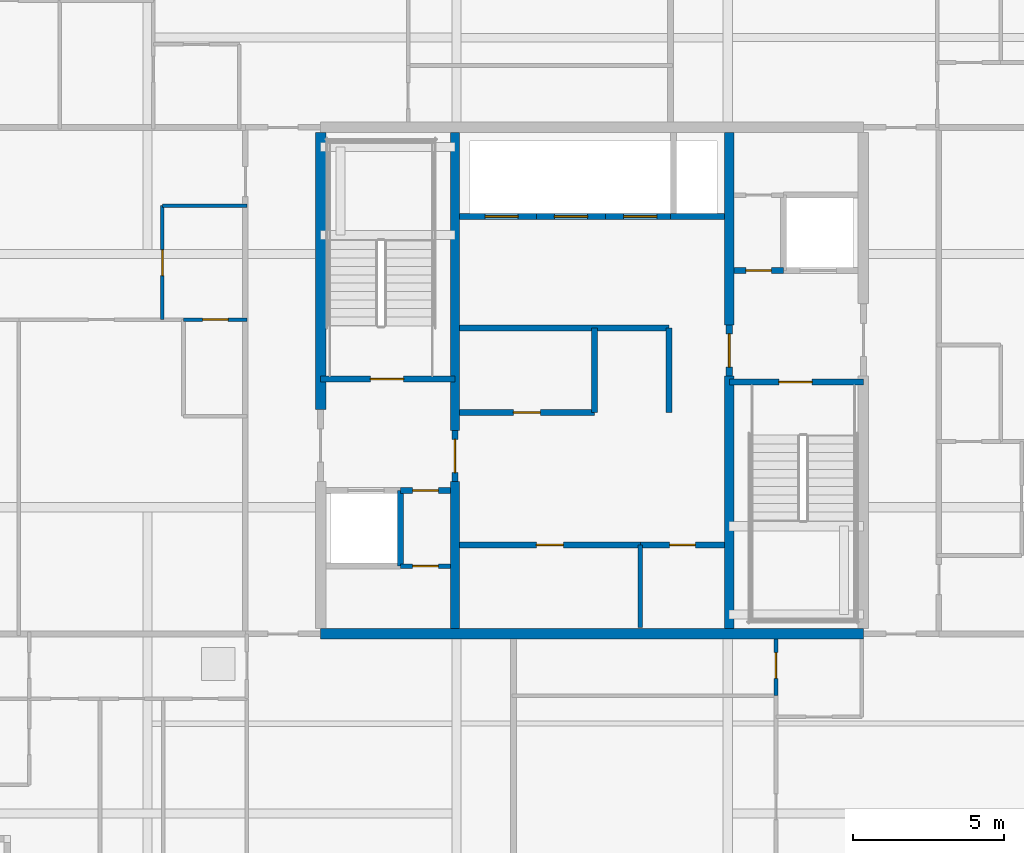
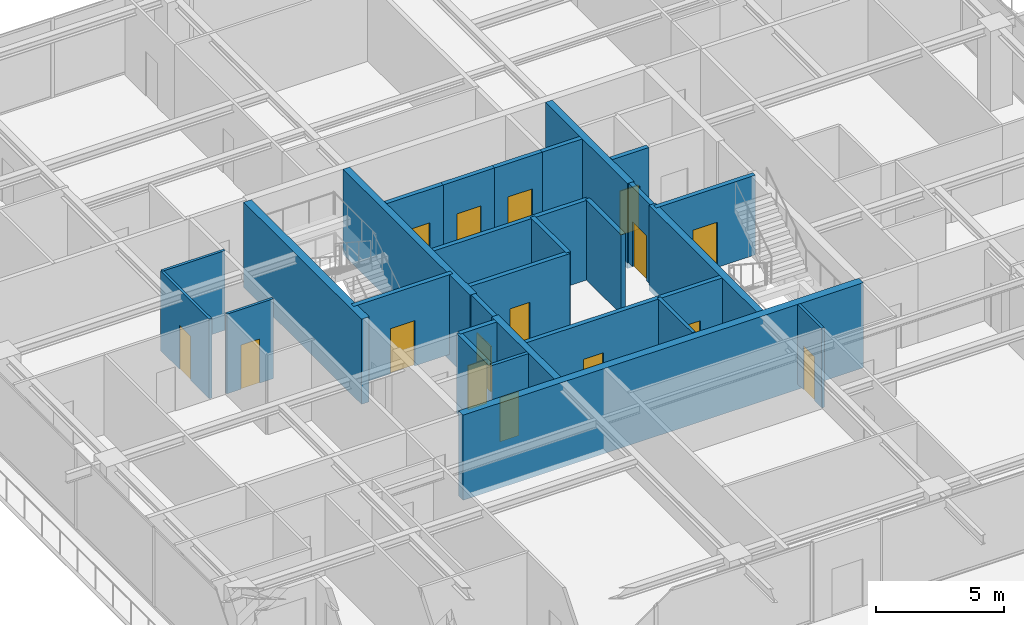
# One storey, part 32 of 42: 29 walls, 16 doors, 16 openings.
"""IFC4 building model written with IfcOpenShell, lengths in metres."""

import ifcopenshell
import ifcopenshell.guid

model = None  # the IFC model being written
_history = None  # IfcOwnerHistory: only IFC2X3 demands one
_inside = {}  # id of a spatial element -> (the spatial element, [elements in it])
_under = {}  # id of a project, library or spatial element -> (it, [spatial elements below it])
_declared = {}  # id of a project -> (the project, [libraries it declares])
_typed = {}  # id of a type object -> (the type object, [elements of that type])
_made_of = {}  # id of a material, layer set ... -> (it, [elements and type objects made of it])


def new_model(schema):
    """Start an empty IFC model of exactly this schema.

    Asked for "IFC4X3", IfcOpenShell would pick the latest addendum, in which some entities
    have other attributes; the version numbers below select the first issue.
    IFC2X3 requires an IfcOwnerHistory on every rooted entity: one is made here for all.
    """
    global model, _history
    if schema == "IFC4X3":
        model = ifcopenshell.file(schema_version=(4, 3, 0, 0))
    else:
        model = ifcopenshell.file(schema=schema)
    _inside.clear()
    _under.clear()
    _declared.clear()
    _typed.clear()
    _made_of.clear()
    _history = None
    if model.schema == "IFC2X3":
        org = make("IfcOrganization", Name="unknown")
        user = make(
            "IfcPersonAndOrganization",
            ThePerson=make("IfcPerson", FamilyName="unknown"),
            TheOrganization=org,
        )
        app = make(
            "IfcApplication",
            ApplicationDeveloper=org,
            Version="unknown",
            ApplicationFullName="unknown",
            ApplicationIdentifier="unknown",
        )
        _history = make(
            "IfcOwnerHistory",
            OwningUser=user,
            OwningApplication=app,
            ChangeAction="ADDED",
            CreationDate=0,
        )
    return model


def make(cls, **values):
    """One entity of the class cls with the attributes given. An attribute that is None is left unset."""
    return model.create_entity(
        cls, **{name: value for name, value in values.items() if value is not None}
    )


def rooted(cls, **values):
    """An entity with a GlobalId (a new one), such as an element, a storey or a relation."""
    return make(cls, GlobalId=ifcopenshell.guid.new(), OwnerHistory=_history, **values)


def si_unit(unit_type, name, prefix=None):
    """IfcSIUnit, for example si_unit("LENGTHUNIT", "METRE", prefix="MILLI")."""
    return make("IfcSIUnit", UnitType=unit_type, Prefix=prefix, Name=name)


def assignment(units):
    """IfcUnitAssignment: the units of a project."""
    return None if units is None else make("IfcUnitAssignment", Units=units)


def point(xyz):
    """IfcCartesianPoint."""
    return None if xyz is None else make("IfcCartesianPoint", Coordinates=xyz)


def direction(xyz):
    """IfcDirection."""
    return None if xyz is None else make("IfcDirection", DirectionRatios=xyz)


def frame(location, z_axis=None, x_axis=None):
    """IfcAxis2Placement3D, a coordinate frame: its origin and axes. An axis left out is left unset."""
    return make(
        "IfcAxis2Placement3D",
        Location=point(location),
        Axis=direction(z_axis),
        RefDirection=direction(x_axis),
    )


def frame_2d(location, x_axis=None):
    """IfcAxis2Placement2D, a coordinate frame in the plane: its origin and x axis."""
    return make(
        "IfcAxis2Placement2D", Location=point(location), RefDirection=direction(x_axis)
    )


def origin():
    """The frame at (0, 0, 0) with its axes left unset."""
    return frame((0.0, 0.0, 0.0))


def place(relative_to, where):
    """IfcLocalPlacement: puts the frame where relative to a parent placement (None: the world)."""
    return make(
        "IfcLocalPlacement", PlacementRelTo=relative_to, RelativePlacement=where
    )


def context(
    kind, dimensions, precision=None, world=None, true_north=None, identifier=None
):
    """IfcGeometricRepresentationContext, for example the 3D "Model" context."""
    return make(
        "IfcGeometricRepresentationContext",
        ContextIdentifier=identifier,
        ContextType=kind,
        CoordinateSpaceDimension=dimensions,
        Precision=precision,
        WorldCoordinateSystem=world,
        TrueNorth=true_north,
    )


def subcontext(parent, identifier, kind, view, scale=None):
    """IfcGeometricRepresentationSubContext, for example "Body" below "Model"."""
    return make(
        "IfcGeometricRepresentationSubContext",
        ContextIdentifier=identifier,
        ContextType=kind,
        ParentContext=parent,
        TargetScale=scale,
        TargetView=view,
    )


def project(units=None, contexts=None):
    """IfcProject with its units and contexts."""
    return rooted(
        "IfcProject",
        Name="project",
        RepresentationContexts=contexts,
        UnitsInContext=assignment(units),
    )


def spatial(cls, under=None, at=None, **own):
    """A site, building, storey or space (cls), placed at a placement, below another one or the project."""
    s = rooted(cls, ObjectPlacement=at, **own)
    if under is not None:
        _under.setdefault(under.id(), (under, []))[1].append(s)
    return s


def profile(cls, at=None, kind="AREA", **sizes):
    """A parametric profile (cls). Its sizes go by their IFC names, for example OverallWidth=200.0."""
    return make(cls, ProfileType=kind, Position=at, **sizes)


def rectangle(**sizes):
    """IfcRectangleProfileDef."""
    return profile("IfcRectangleProfileDef", **sizes)


def extrude(swept, where, along, depth):
    """IfcExtrudedAreaSolid: the profile swept, set in the frame where, extruded along a direction by depth."""
    return make(
        "IfcExtrudedAreaSolid",
        SweptArea=swept,
        Position=where,
        ExtrudedDirection=direction(along),
        Depth=depth,
    )


def shape(context_of_items, identifier, shape_type, items):
    """IfcShapeRepresentation: the items that make up one representation, for example the "Body"."""
    return make(
        "IfcShapeRepresentation",
        ContextOfItems=context_of_items,
        RepresentationIdentifier=identifier,
        RepresentationType=shape_type,
        Items=items,
    )


def source(mapping_origin, context_of_items, identifier, shape_type, items):
    """IfcRepresentationMap: a shape defined once, which mapped items show again and again."""
    return make(
        "IfcRepresentationMap",
        MappingOrigin=mapping_origin,
        MappedRepresentation=shape(context_of_items, identifier, shape_type, items),
    )


def transform(
    local_origin,
    x_axis=None,
    y_axis=None,
    z_axis=None,
    scale=None,
    scale2=None,
    scale3=None,
    uniform=True,
):
    """IfcCartesianTransformationOperator3D, or its non-uniform kind. x_axis, y_axis, z_axis: its Axis1, 2, 3."""
    if uniform:
        return make(
            "IfcCartesianTransformationOperator3D",
            Axis1=direction(x_axis),
            Axis2=direction(y_axis),
            LocalOrigin=point(local_origin),
            Scale=scale,
            Axis3=direction(z_axis),
        )
    return make(
        "IfcCartesianTransformationOperator3DnonUniform",
        Axis1=direction(x_axis),
        Axis2=direction(y_axis),
        LocalOrigin=point(local_origin),
        Scale=scale,
        Axis3=direction(z_axis),
        Scale2=scale2,
        Scale3=scale3,
    )


def mapped(mapping_source, mapping_target):
    """IfcMappedItem: shows the shape of a source again, moved by a transform."""
    return make(
        "IfcMappedItem", MappingSource=mapping_source, MappingTarget=mapping_target
    )


def material(Name=None, Category=None):
    """IfcMaterial."""
    return make("IfcMaterial", Name=Name, Category=Category)


def layer(
    of_material, thickness, ventilated=None, Name=None, Category=None, Priority=None
):
    """IfcMaterialLayer: one layer of a wall or slab, of a material (None: an air gap)."""
    return make(
        "IfcMaterialLayer",
        Material=of_material,
        LayerThickness=thickness,
        IsVentilated=ventilated,
        Name=Name,
        Category=Category,
        Priority=Priority,
    )


def layer_set(layers, Name=None):
    """IfcMaterialLayerSet."""
    return make("IfcMaterialLayerSet", MaterialLayers=layers, LayerSetName=Name)


def made_of(thing, what):
    """Note that an element or type object is made of a material, layer set ...; save() writes the relation."""
    if what is not None:
        _made_of.setdefault(what.id(), (what, []))[1].append(thing)
    return thing


def type_object(cls, material=None, **own):
    """A type object (cls), such as IfcWallType, which elements share."""
    return made_of(rooted(cls, **own), material)


def element(
    cls,
    number,
    at=None,
    inside=None,
    cuts=None,
    type_object=None,
    material=None,
    context=None,
    identifier="Body",
    shape_type=None,
    held_by="IfcProductDefinitionShape",
    body=None,
    shapes=None,
    **own,
):
    """One element of the class cls, such as IfcWall. Its Tag is "e" and its number.

    at: its placement. inside: the storey or other place that contains it. cuts: it is an
    opening in that element (IfcRelVoidsElement). A single representation is given by context,
    identifier, shape_type and body (its items); several are given by shapes. held_by: the class
    of the entity that holds the representations. save() writes the other relations.
    """
    e = rooted(cls, Tag="e%d" % number, ObjectPlacement=at, **own)
    if body is not None:
        shapes = [shape(context, identifier, shape_type, body)]
    if shapes is not None:
        e.Representation = make(held_by, Representations=shapes)
    if inside is not None:
        _inside.setdefault(inside.id(), (inside, []))[1].append(e)
    if cuts is not None:
        rooted(
            "IfcRelVoidsElement", RelatingBuildingElement=cuts, RelatedOpeningElement=e
        )
    if type_object is not None:
        _typed.setdefault(type_object.id(), (type_object, []))[1].append(e)
    return made_of(e, material)


def fill(opening, filler):
    """IfcRelFillsElement: the door or window that sits in an opening."""
    return rooted(
        "IfcRelFillsElement",
        RelatingOpeningElement=opening,
        RelatedBuildingElement=filler,
    )


def aggregate(whole, parts):
    """IfcRelAggregates: a whole, such as a stair, and the parts it consists of."""
    return rooted("IfcRelAggregates", RelatingObject=whole, RelatedObjects=parts)


def save(model, path):
    """Write the relations noted so far, then the file.

    IfcRelAggregates (storeys below a building ...), IfcRelContainedInSpatialStructure (elements
    in a storey), IfcRelDefinesByType, IfcRelAssociatesMaterial and IfcRelDeclares: one each for
    every whole, place, type object, material and project.
    """
    for whole, parts in _under.values():
        aggregate(whole, parts)
    for where, things in _inside.values():
        rooted(
            "IfcRelContainedInSpatialStructure",
            RelatedElements=things,
            RelatingStructure=where,
        )
    for kind, things in _typed.values():
        rooted("IfcRelDefinesByType", RelatedObjects=things, RelatingType=kind)
    for what, things in _made_of.values():
        rooted("IfcRelAssociatesMaterial", RelatedObjects=things, RelatingMaterial=what)
    for by, libraries in _declared.values():
        rooted("IfcRelDeclares", RelatingContext=by, RelatedDefinitions=libraries)
    model.write(path)


model = new_model("IFC4")

# Units and contexts
model_context = context("Model", 3, precision=1e-05, world=origin(), true_north=direction((0.0, 1.0)))
body_context = subcontext(model_context, "Body", "Model", "MODEL_VIEW")
ifc_project = project(units=[si_unit("LENGTHUNIT", "METRE"), si_unit("AREAUNIT", "SQUARE_METRE"), si_unit("VOLUMEUNIT", "CUBIC_METRE"), si_unit("PLANEANGLEUNIT", "RADIAN"), si_unit("MASSUNIT", "GRAM", prefix="KILO")], contexts=[model_context])

# Site, building, storey
site_placement = place(None, origin())
site = spatial("IfcSite", under=ifc_project, at=site_placement, CompositionType="ELEMENT")
building_placement = place(site_placement, origin())
building = spatial("IfcBuilding", under=site, at=building_placement, Name="Serunith Strait Residences", CompositionType="ELEMENT")
storey_placement = place(building_placement, frame((0.0, 0.0, 293.449951171875)))
storey = spatial("IfcBuildingStorey", under=building, at=storey_placement, Name="L73", CompositionType="ELEMENT", Elevation=293.449951171875)

# Wall, opening, door
ifc_material_1 = material(Name="Fire-rated masonry service closet wall", Category="masonry")
ifc_layer_1 = layer(ifc_material_1, 0.14990234375, Name="Fire-rated masonry service closet wall")
ifc_layer_set_1 = layer_set([ifc_layer_1], Name="Fire-rated masonry service closet wall")
wall_type_1 = type_object("IfcWallType", Name="IW-BOH-150", PredefinedType="PARTITIONING", material=ifc_layer_set_1)
wall_1_placement = place(storey_placement, frame((26.052001953125, 19.050048828125, 0.0), z_axis=(0.0, 0.0, 1.0), x_axis=(1.0, 0.0, 0.0)))
wall_1 = element("IfcWall", 1, at=wall_1_placement, inside=storey, type_object=wall_type_1, Name="L73 Partition Wall 011", PredefinedType="PARTITIONING", context=body_context, shape_type="SweptSolid", body=[
    extrude(rectangle(XDim=1.64794921875, YDim=0.14990234375, at=frame_2d((0.823974609375, 0.0))), origin(), (0.0, 0.0, 1.0), 3.7900390625),
])
opening_1_placement = place(wall_1_placement, frame((0.39892578125, 0.0, 0.0)))
opening_1 = element("IfcOpeningElement", 2, at=opening_1_placement, cuts=wall_1, Name="Opening FD-850", PredefinedType="OPENING", context=body_context, shape_type="SweptSolid", body=[
    extrude(rectangle(XDim=0.85009765625, YDim=2.10009765625, at=frame_2d((0.425048828125, 1.050048828125))), frame((0.0, 0.0849609375, 0.0), z_axis=(0.0, -1.0, 0.0), x_axis=(1.0, 0.0, 0.0)), (0.0, 0.0, 1.0), 0.169921875),
])
ifc_material_2 = material(Name="Powder-coated steel service closet door", Category="steel")
door_type_1 = type_object("IfcDoorType", Name="FD-BOH-850", OperationType="NOTDEFINED", PredefinedType="DOOR", material=ifc_material_2)
shared_shape_1 = source(origin(), body_context, "Body", "SweptSolid", [
    extrude(rectangle(XDim=0.85009765625, YDim=2.10009765625, at=frame_2d((0.425048828125, 1.050048828125))), frame((0.0, 0.02490234375, 0.0), z_axis=(0.0, -1.0, 0.0), x_axis=(1.0, 0.0, 0.0)), (0.0, 0.0, 1.0), 0.050048828125),
])
door_1_placement = place(opening_1_placement, origin())
door_1 = element("IfcDoor", 3, at=door_1_placement, inside=storey, type_object=door_type_1, Name="L73 Water Meter Door", OperationType="SINGLE_SWING_RIGHT", OverallHeight=2.10009765625, OverallWidth=0.85009765625, PredefinedType="DOOR", context=body_context, shape_type="MappedRepresentation", body=[
    mapped(shared_shape_1, transform((0.0, 0.0, 0.0), scale=1.0)),
])
fill(opening_1, door_1)

# Wall
wall_2_placement = place(storey_placement, frame((34.0, 17.02001953125, 0.0), z_axis=(0.0, 0.0, 1.0), x_axis=(0.0, 1.0, 0.0)))
element("IfcWall", 4, at=wall_2_placement, inside=storey, type_object=wall_type_1, Name="L73 Partition Wall 015", PredefinedType="PARTITIONING", context=body_context, shape_type="SweptSolid", body=[
    extrude(rectangle(XDim=2.72998046875, YDim=0.14990234375, at=frame_2d((1.364990234375, 0.0))), origin(), (0.0, 0.0, 1.0), 3.7900390625),
])

# Wall, opening, door
ifc_material_3 = material(Name="Lightweight steel-stud gypsum partition", Category="steel")
ifc_layer_2 = layer(ifc_material_3, 0.1201171875, Name="Lightweight steel-stud gypsum partition")
ifc_layer_set_2 = layer_set([ifc_layer_2], Name="Lightweight steel-stud gypsum partition")
wall_type_2 = type_object("IfcWallType", Name="IW-PART-120", PredefinedType="PARTITIONING", material=ifc_layer_set_2)
wall_3_placement = place(storey_placement, frame((38.5, 14.751953125, 0.0), z_axis=(0.0, 0.0, 1.0), x_axis=(0.0, 1.0, 0.0)))
wall_3 = element("IfcWall", 5, at=wall_3_placement, inside=storey, type_object=wall_type_2, Name="L73 Partition Wall 051", PredefinedType="PARTITIONING", context=body_context, shape_type="SweptSolid", body=[
    extrude(rectangle(XDim=1.873046875, YDim=0.1201171875, at=frame_2d((0.9365234375, 0.0))), origin(), (0.0, 0.0, 1.0), 3.7900390625),
])
opening_2_placement = place(wall_3_placement, frame((0.574951171875, 0.0, 0.0)))
opening_2 = element("IfcOpeningElement", 6, at=opening_2_placement, cuts=wall_3, Name="Opening D-BTH850", PredefinedType="OPENING", context=body_context, shape_type="SweptSolid", body=[
    extrude(rectangle(XDim=0.85009765625, YDim=2.10009765625, at=frame_2d((0.425048828125, 1.050048828125))), frame((0.0, 0.070068359375, 0.0), z_axis=(0.0, -1.0, 0.0), x_axis=(1.0, 0.0, 0.0)), (0.0, 0.0, 1.0), 0.14013671875),
])
ifc_material_4 = material(Name="Moisture-resistant timber bathroom door", Category="wood")
door_type_2 = type_object("IfcDoorType", Name="ID-BATH-850", OperationType="NOTDEFINED", PredefinedType="DOOR", material=ifc_material_4)
door_2_placement = place(opening_2_placement, origin())
door_2 = element("IfcDoor", 7, at=door_2_placement, inside=storey, type_object=door_type_2, Name="L73 Bathroom 7302 Door", OperationType="SINGLE_SWING_LEFT", OverallHeight=2.10009765625, OverallWidth=0.85009765625, PredefinedType="DOOR", context=body_context, shape_type="MappedRepresentation", body=[
    mapped(shared_shape_1, transform((0.0, 0.0, 0.0), scale=1.0)),
])
fill(opening_2, door_2)

wall_4_placement = place(storey_placement, frame((18.14990234375, 27.219970703125, 0.0), z_axis=(0.0, 0.0, 1.0), x_axis=(0.0, 1.0, 0.0)))
wall_4 = element("IfcWall", 8, at=wall_4_placement, inside=storey, type_object=wall_type_2, Name="L73 Partition Wall 082", PredefinedType="PARTITIONING", context=body_context, shape_type="SweptSolid", body=[
    extrude(rectangle(XDim=3.780029296875, YDim=0.1201171875, at=frame_2d((1.89013671875, 0.0))), origin(), (0.0, 0.0, 1.0), 3.7900390625),
])
opening_3_placement = place(wall_4_placement, frame((1.465087890625, 0.0, 0.0)))
opening_3 = element("IfcOpeningElement", 9, at=opening_3_placement, cuts=wall_4, Name="Opening D-RM850", PredefinedType="OPENING", context=body_context, shape_type="SweptSolid", body=[
    extrude(rectangle(XDim=0.85009765625, YDim=2.10009765625, at=frame_2d((0.425048828125, 1.050048828125))), frame((0.0, 0.070068359375, 0.0), z_axis=(0.0, -1.0, 0.0), x_axis=(1.0, 0.0, 0.0)), (0.0, 0.0, 1.0), 0.14013671875),
])
ifc_material_5 = material(Name="Engineered timber flush study and kitchen door", Category="wood")
door_type_3 = type_object("IfcDoorType", Name="ID-ROOM-850", OperationType="NOTDEFINED", PredefinedType="DOOR", material=ifc_material_5)
door_3_placement = place(opening_3_placement, origin())
door_3 = element("IfcDoor", 10, at=door_3_placement, inside=storey, type_object=door_type_3, Name="L73 Kitchen 7305 Door", OperationType="SINGLE_SWING_LEFT", OverallHeight=2.10009765625, OverallWidth=0.85009765625, PredefinedType="DOOR", context=body_context, shape_type="MappedRepresentation", body=[
    mapped(shared_shape_1, transform((0.0, 0.0, 0.0), scale=1.0)),
])
fill(opening_3, door_3)

# Wall
wall_5_placement = place(storey_placement, frame((18.14990234375, 31.0, 0.0), z_axis=(0.0, 0.0, 1.0), x_axis=(1.0, 0.0, 0.0)))
element("IfcWall", 11, at=wall_5_placement, inside=storey, type_object=wall_type_2, Name="L73 Partition Wall 083", PredefinedType="PARTITIONING", context=body_context, shape_type="SweptSolid", body=[
    extrude(rectangle(XDim=2.81005859375, YDim=0.1201171875, at=frame_2d((1.405029296875, 0.0))), origin(), (0.0, 0.0, 1.0), 3.7900390625),
])

# Wall, opening, door
wall_6_placement = place(storey_placement, frame((18.85205078125, 27.219970703125, 0.0), z_axis=(0.0, 0.0, 1.0), x_axis=(1.0, 0.0, 0.0)))
wall_6 = element("IfcWall", 12, at=wall_6_placement, inside=storey, type_object=wall_type_2, Name="L73 Partition Wall 089", PredefinedType="PARTITIONING", context=body_context, shape_type="SweptSolid", body=[
    extrude(rectangle(XDim=2.10791015625, YDim=0.1201171875, at=frame_2d((1.053955078125, 0.0))), origin(), (0.0, 0.0, 1.0), 3.7900390625),
])
opening_4_placement = place(wall_6_placement, frame((0.62890625, 0.0, 0.0)))
opening_4 = element("IfcOpeningElement", 13, at=opening_4_placement, cuts=wall_6, Name="Opening D-BTH850", PredefinedType="OPENING", context=body_context, shape_type="SweptSolid", body=[
    extrude(rectangle(XDim=0.85009765625, YDim=2.10009765625, at=frame_2d((0.425048828125, 1.050048828125))), frame((0.0, 0.070068359375, 0.0), z_axis=(0.0, -1.0, 0.0), x_axis=(1.0, 0.0, 0.0)), (0.0, 0.0, 1.0), 0.14013671875),
])
door_4_placement = place(opening_4_placement, origin())
door_4 = element("IfcDoor", 14, at=door_4_placement, inside=storey, type_object=door_type_2, Name="L73 Bathroom 7305 Door", OperationType="SINGLE_SWING_RIGHT", OverallHeight=2.10009765625, OverallWidth=0.85009765625, PredefinedType="DOOR", context=body_context, shape_type="MappedRepresentation", body=[
    mapped(shared_shape_1, transform((0.0, 0.0, 0.0), scale=1.0)),
])
fill(opening_4, door_4)

ifc_material_6 = material(Name="Autoclaved aerated concrete blockwork", Category="masonry")
ifc_layer_3 = layer(ifc_material_6, 0.199951171875, Name="Autoclaved aerated concrete blockwork")
ifc_layer_set_3 = layer_set([ifc_layer_3], Name="Autoclaved aerated concrete blockwork")
wall_type_3 = type_object("IfcWallType", Name="IW-SHAFT-200", PredefinedType="STANDARD", material=ifc_layer_set_3)
wall_7_placement = place(storey_placement, frame((23.39990234375, 25.25, 0.0), z_axis=(0.0, 0.0, 1.0), x_axis=(1.0, 0.0, 0.0)))
wall_7 = element("IfcWall", 15, at=wall_7_placement, inside=storey, type_object=wall_type_3, Name="L73 ST-1 South Shaft Wall", PredefinedType="STANDARD", context=body_context, shape_type="SweptSolid", body=[
    extrude(rectangle(XDim=4.4501953125, YDim=0.199951171875, at=frame_2d((2.22509765625, 0.0))), origin(), (0.0, 0.0, 1.0), 3.7900390625),
])
opening_5_placement = place(wall_7_placement, frame((1.64990234375, 0.0, 0.0)))
opening_5 = element("IfcOpeningElement", 16, at=opening_5_placement, cuts=wall_7, Name="Opening FD-1100", PredefinedType="OPENING", context=body_context, shape_type="SweptSolid", body=[
    extrude(rectangle(XDim=1.10009765625, YDim=2.14990234375, at=frame_2d((0.550048828125, 1.074951171875))), frame((0.0, 0.10986328125, 0.0), z_axis=(0.0, -1.0, 0.0), x_axis=(1.0, 0.0, 0.0)), (0.0, 0.0, 1.0), 0.219970703125),
])
ifc_material_7 = material(Name="Galvanised steel fire door leaf", Category="steel")
door_type_4 = type_object("IfcDoorType", Name="FD-STAIR-1100", OperationType="NOTDEFINED", PredefinedType="DOOR", material=ifc_material_7)
shared_shape_2 = source(origin(), body_context, "Body", "SweptSolid", [
    extrude(rectangle(XDim=1.10009765625, YDim=2.14990234375, at=frame_2d((0.550048828125, 1.074951171875))), frame((0.0, 0.02490234375, 0.0), z_axis=(0.0, -1.0, 0.0), x_axis=(1.0, 0.0, 0.0)), (0.0, 0.0, 1.0), 0.050048828125),
])
door_5_placement = place(opening_5_placement, origin())
door_5 = element("IfcDoor", 17, at=door_5_placement, inside=storey, type_object=door_type_4, Name="L73 ST-1 Escape Stair Door", OperationType="SINGLE_SWING_LEFT", OverallHeight=2.14990234375, OverallWidth=1.10009765625, PredefinedType="DOOR", context=body_context, shape_type="MappedRepresentation", body=[
    mapped(shared_shape_2, transform((0.0, 0.0, 0.0), scale=1.0)),
])
fill(opening_5, door_5)

wall_8_placement = place(storey_placement, frame((36.949951171875, 25.14990234375, 0.0), z_axis=(0.0, 0.0, 1.0), x_axis=(1.0, 0.0, 0.0)))
wall_8 = element("IfcWall", 18, at=wall_8_placement, inside=storey, type_object=wall_type_3, Name="L73 ST-2 North Shaft Wall", PredefinedType="STANDARD", context=body_context, shape_type="SweptSolid", body=[
    extrude(rectangle(XDim=4.449951171875, YDim=0.199951171875, at=frame_2d((2.22509765625, 0.0))), origin(), (0.0, 0.0, 1.0), 3.7900390625),
])
opening_6_placement = place(wall_8_placement, frame((1.64990234375, 0.0, 0.0)))
opening_6 = element("IfcOpeningElement", 19, at=opening_6_placement, cuts=wall_8, Name="Opening FD-1100", PredefinedType="OPENING", context=body_context, shape_type="SweptSolid", body=[
    extrude(rectangle(XDim=1.10009765625, YDim=2.14990234375, at=frame_2d((0.550048828125, 1.074951171875))), frame((0.0, 0.10986328125, 0.0), z_axis=(0.0, -1.0, 0.0), x_axis=(1.0, 0.0, 0.0)), (0.0, 0.0, 1.0), 0.219970703125),
])
door_6_placement = place(opening_6_placement, origin())
door_6 = element("IfcDoor", 20, at=door_6_placement, inside=storey, type_object=door_type_4, Name="L73 ST-2 Escape Stair Door", OperationType="SINGLE_SWING_RIGHT", OverallHeight=2.14990234375, OverallWidth=1.10009765625, PredefinedType="DOOR", context=body_context, shape_type="MappedRepresentation", body=[
    mapped(shared_shape_2, transform((0.0, 0.0, 0.0), scale=1.0)),
])
fill(opening_6, door_6)

wall_9_placement = place(storey_placement, frame((28.0, 30.64990234375, 0.0), z_axis=(0.0, 0.0, 1.0), x_axis=(1.0, 0.0, 0.0)))
wall_9 = element("IfcWall", 21, at=wall_9_placement, inside=storey, type_object=wall_type_3, Name="L73 PL-7 South Shaft Wall", PredefinedType="STANDARD", context=body_context, shape_type="SweptSolid", body=[
    extrude(rectangle(XDim=2.550048828125, YDim=0.199951171875, at=frame_2d((1.27490234375, 0.0))), origin(), (0.0, 0.0, 1.0), 3.7900390625),
])
opening_7_placement = place(wall_9_placement, frame((0.85009765625, 0.0, 0.0)))
opening_7 = element("IfcOpeningElement", 22, at=opening_7_placement, cuts=wall_9, Name="Opening LD-1100", PredefinedType="OPENING", context=body_context, shape_type="SweptSolid", body=[
    extrude(rectangle(XDim=1.10009765625, YDim=2.199951171875, at=frame_2d((0.550048828125, 1.10009765625))), frame((0.0, 0.10986328125, 0.0), z_axis=(0.0, -1.0, 0.0), x_axis=(1.0, 0.0, 0.0)), (0.0, 0.0, 1.0), 0.219970703125),
])
ifc_material_8 = material(Name="Pale-champagne stainless landing door")
door_type_5 = type_object("IfcDoorType", Name="LD-LIFT-1100", OperationType="DOUBLE_DOOR_SLIDING", PredefinedType="DOOR", material=ifc_material_8)
shared_shape_3 = source(origin(), body_context, "Body", "SweptSolid", [
    extrude(rectangle(XDim=1.10009765625, YDim=2.199951171875, at=frame_2d((0.550048828125, 1.10009765625))), frame((0.0, 0.02490234375, 0.0), z_axis=(0.0, -1.0, 0.0), x_axis=(1.0, 0.0, 0.0)), (0.0, 0.0, 1.0), 0.050048828125),
])
door_7_placement = place(opening_7_placement, origin())
door_7 = element("IfcDoor", 23, at=door_7_placement, inside=storey, type_object=door_type_5, Name="L73 PL-7 Landing Door", OperationType="DOUBLE_DOOR_SLIDING", OverallHeight=2.199951171875, OverallWidth=1.10009765625, PredefinedType="DOOR", context=body_context, shape_type="MappedRepresentation", body=[
    mapped(shared_shape_3, transform((0.0, 0.0, 0.0), scale=1.0)),
])
fill(opening_7, door_7)

wall_10_placement = place(storey_placement, frame((30.550048828125, 30.64990234375, 0.0), z_axis=(0.0, 0.0, 1.0), x_axis=(1.0, 0.0, 0.0)))
wall_10 = element("IfcWall", 24, at=wall_10_placement, inside=storey, type_object=wall_type_3, Name="L73 PL-8 South Shaft Wall", PredefinedType="STANDARD", context=body_context, shape_type="SweptSolid", body=[
    extrude(rectangle(XDim=2.300048828125, YDim=0.199951171875, at=frame_2d((1.14990234375, 0.0))), origin(), (0.0, 0.0, 1.0), 3.7900390625),
])
opening_8_placement = place(wall_10_placement, frame((0.60009765625, 0.0, 0.0)))
opening_8 = element("IfcOpeningElement", 25, at=opening_8_placement, cuts=wall_10, Name="Opening LD-1100", PredefinedType="OPENING", context=body_context, shape_type="SweptSolid", body=[
    extrude(rectangle(XDim=1.10009765625, YDim=2.199951171875, at=frame_2d((0.550048828125, 1.10009765625))), frame((0.0, 0.10986328125, 0.0), z_axis=(0.0, -1.0, 0.0), x_axis=(1.0, 0.0, 0.0)), (0.0, 0.0, 1.0), 0.219970703125),
])
door_8_placement = place(opening_8_placement, origin())
door_8 = element("IfcDoor", 26, at=door_8_placement, inside=storey, type_object=door_type_5, Name="L73 PL-8 Landing Door", OperationType="DOUBLE_DOOR_SLIDING", OverallHeight=2.199951171875, OverallWidth=1.10009765625, PredefinedType="DOOR", context=body_context, shape_type="MappedRepresentation", body=[
    mapped(shared_shape_3, transform((0.0, 0.0, 0.0), scale=1.0)),
])
fill(opening_8, door_8)

wall_11_placement = place(storey_placement, frame((32.85009765625, 30.64990234375, 0.0), z_axis=(0.0, 0.0, 1.0), x_axis=(1.0, 0.0, 0.0)))
wall_11 = element("IfcWall", 27, at=wall_11_placement, inside=storey, type_object=wall_type_3, Name="L73 PL-9 South Shaft Wall", PredefinedType="STANDARD", context=body_context, shape_type="SweptSolid", body=[
    extrude(rectangle(XDim=2.14990234375, YDim=0.199951171875, at=frame_2d((1.074951171875, 0.0))), origin(), (0.0, 0.0, 1.0), 3.7900390625),
])
opening_9_placement = place(wall_11_placement, frame((0.60009765625, 0.0, 0.0)))
opening_9 = element("IfcOpeningElement", 28, at=opening_9_placement, cuts=wall_11, Name="Opening LD-1100", PredefinedType="OPENING", context=body_context, shape_type="SweptSolid", body=[
    extrude(rectangle(XDim=1.10009765625, YDim=2.199951171875, at=frame_2d((0.550048828125, 1.10009765625))), frame((0.0, 0.10986328125, 0.0), z_axis=(0.0, -1.0, 0.0), x_axis=(1.0, 0.0, 0.0)), (0.0, 0.0, 1.0), 0.219970703125),
])
door_9_placement = place(opening_9_placement, origin())
door_9 = element("IfcDoor", 29, at=door_9_placement, inside=storey, type_object=door_type_5, Name="L73 PL-9 Landing Door", OperationType="DOUBLE_DOOR_SLIDING", OverallHeight=2.199951171875, OverallWidth=1.10009765625, PredefinedType="DOOR", context=body_context, shape_type="MappedRepresentation", body=[
    mapped(shared_shape_3, transform((0.0, 0.0, 0.0), scale=1.0)),
])
fill(opening_9, door_9)

# Walls
wall_12_placement = place(storey_placement, frame((35.0, 30.64990234375, 0.0), z_axis=(0.0, 0.0, 1.0), x_axis=(1.0, 0.0, 0.0)))
element("IfcWall", 30, at=wall_12_placement, inside=storey, type_object=wall_type_3, Name="L73 SL-1 South Shaft Wall", PredefinedType="STANDARD", context=body_context, shape_type="SweptSolid", body=[
    extrude(rectangle(XDim=1.800048828125, YDim=0.199951171875, at=frame_2d((0.89990234375, 0.0))), origin(), (0.0, 0.0, 1.0), 3.7900390625),
])
wall_13_placement = place(storey_placement, frame((26.050048828125, 19.050048828125, 0.0), z_axis=(0.0, 0.0, 1.0), x_axis=(0.0, 1.0, 0.0)))
element("IfcWall", 31, at=wall_13_placement, inside=storey, type_object=wall_type_3, Name="L73 Partition Wall 001", PredefinedType="STANDARD", context=body_context, shape_type="SweptSolid", body=[
    extrude(rectangle(XDim=2.5, YDim=0.199951171875, at=frame_2d((1.25, 0.0))), origin(), (0.0, 0.0, 1.0), 3.7900390625),
])

# Wall, opening, door
wall_14_placement = place(storey_placement, frame((26.052001953125, 21.550048828125, 0.0), z_axis=(0.0, 0.0, 1.0), x_axis=(1.0, 0.0, 0.0)))
wall_14 = element("IfcWall", 32, at=wall_14_placement, inside=storey, type_object=wall_type_3, Name="L73 Partition Wall 003", PredefinedType="STANDARD", context=body_context, shape_type="SweptSolid", body=[
    extrude(rectangle(XDim=1.64794921875, YDim=0.199951171875, at=frame_2d((0.823974609375, 0.0))), origin(), (0.0, 0.0, 1.0), 3.7900390625),
])
opening_10_placement = place(wall_14_placement, frame((0.39892578125, 0.0, 0.0)))
opening_10 = element("IfcOpeningElement", 33, at=opening_10_placement, cuts=wall_14, Name="Opening FD-850", PredefinedType="OPENING", context=body_context, shape_type="SweptSolid", body=[
    extrude(rectangle(XDim=0.85009765625, YDim=2.10009765625, at=frame_2d((0.425048828125, 1.050048828125))), frame((0.0, 0.10986328125, 0.0), z_axis=(0.0, -1.0, 0.0), x_axis=(1.0, 0.0, 0.0)), (0.0, 0.0, 1.0), 0.219970703125),
])
door_10_placement = place(opening_10_placement, origin())
door_10 = element("IfcDoor", 34, at=door_10_placement, inside=storey, type_object=door_type_1, Name="L73 South-West Core Service Door", OperationType="SINGLE_SWING_RIGHT", OverallHeight=2.10009765625, OverallWidth=0.85009765625, PredefinedType="DOOR", context=body_context, shape_type="MappedRepresentation", body=[
    mapped(shared_shape_1, transform((0.0, 0.0, 0.0), scale=1.0)),
])
fill(opening_10, door_10)

wall_15_placement = place(storey_placement, frame((37.10009765625, 28.85009765625, 0.0), z_axis=(0.0, 0.0, 1.0), x_axis=(1.0, 0.0, 0.0)))
wall_15 = element("IfcWall", 35, at=wall_15_placement, inside=storey, type_object=wall_type_3, Name="L73 Partition Wall 006", PredefinedType="STANDARD", context=body_context, shape_type="SweptSolid", body=[
    extrude(rectangle(XDim=1.64794921875, YDim=0.199951171875, at=frame_2d((0.823974609375, 0.0))), origin(), (0.0, 0.0, 1.0), 3.7900390625),
])
opening_11_placement = place(wall_15_placement, frame((0.39892578125, 0.0, 0.0)))
opening_11 = element("IfcOpeningElement", 36, at=opening_11_placement, cuts=wall_15, Name="Opening FD-850", PredefinedType="OPENING", context=body_context, shape_type="SweptSolid", body=[
    extrude(rectangle(XDim=0.85009765625, YDim=2.10009765625, at=frame_2d((0.425048828125, 1.050048828125))), frame((0.0, 0.10986328125, 0.0), z_axis=(0.0, -1.0, 0.0), x_axis=(1.0, 0.0, 0.0)), (0.0, 0.0, 1.0), 0.219970703125),
])
door_11_placement = place(opening_11_placement, origin())
door_11 = element("IfcDoor", 37, at=door_11_placement, inside=storey, type_object=door_type_1, Name="L73 North-East Core Service Door", OperationType="SINGLE_SWING_LEFT", OverallHeight=2.10009765625, OverallWidth=0.85009765625, PredefinedType="DOOR", context=body_context, shape_type="MappedRepresentation", body=[
    mapped(shared_shape_1, transform((0.0, 0.0, 0.0), scale=1.0)),
])
fill(opening_11, door_11)

wall_16_placement = place(storey_placement, frame((27.85009765625, 21.85205078125, 0.0), z_axis=(0.0, 0.0, 1.0), x_axis=(0.0, 1.0, 0.0)))
wall_16 = element("IfcWall", 38, at=wall_16_placement, inside=storey, type_object=wall_type_3, Name="L73 Partition Wall 009", PredefinedType="STANDARD", context=body_context, shape_type="SweptSolid", body=[
    extrude(rectangle(XDim=1.696044921875, YDim=0.199951171875, at=frame_2d((0.84814453125, 0.0))), origin(), (0.0, 0.0, 1.0), 3.7900390625),
])
opening_12_placement = place(wall_16_placement, frame((0.298095703125, 0.0, 0.0)))
opening_12 = element("IfcOpeningElement", 39, at=opening_12_placement, cuts=wall_16, Name="Opening FD-FFL", PredefinedType="OPENING", context=body_context, shape_type="SweptSolid", body=[
    extrude(rectangle(XDim=1.10009765625, YDim=2.14990234375, at=frame_2d((0.550048828125, 1.074951171875))), frame((0.0, 0.10986328125, 0.0), z_axis=(0.0, -1.0, 0.0), x_axis=(1.0, 0.0, 0.0)), (0.0, 0.0, 1.0), 0.219970703125),
])
ifc_material_9 = material(Name="Glazed steel smoke-lobby fire door", Category="steel")
door_type_6 = type_object("IfcDoorType", Name="FD-FFL-1100", OperationType="NOTDEFINED", PredefinedType="DOOR", material=ifc_material_9)
door_12_placement = place(opening_12_placement, origin())
door_12 = element("IfcDoor", 40, at=door_12_placement, inside=storey, type_object=door_type_6, Name="L73 FFL-1 Lift Lobby Door", OperationType="SINGLE_SWING_RIGHT", OverallHeight=2.14990234375, OverallWidth=1.10009765625, PredefinedType="DOOR", context=body_context, shape_type="MappedRepresentation", body=[
    mapped(shared_shape_2, transform((0.0, 0.0, 0.0), scale=1.0)),
])
fill(opening_12, door_12)

wall_17_placement = place(storey_placement, frame((36.949951171875, 25.35205078125, 0.0), z_axis=(0.0, 0.0, 1.0), x_axis=(0.0, 1.0, 0.0)))
wall_17 = element("IfcWall", 41, at=wall_17_placement, inside=storey, type_object=wall_type_3, Name="L73 Partition Wall 010", PredefinedType="STANDARD", context=body_context, shape_type="SweptSolid", body=[
    extrude(rectangle(XDim=1.696044921875, YDim=0.199951171875, at=frame_2d((0.84814453125, 0.0))), origin(), (0.0, 0.0, 1.0), 3.7900390625),
])
opening_13_placement = place(wall_17_placement, frame((0.298095703125, 0.0, 0.0)))
opening_13 = element("IfcOpeningElement", 42, at=opening_13_placement, cuts=wall_17, Name="Opening FD-FFL", PredefinedType="OPENING", context=body_context, shape_type="SweptSolid", body=[
    extrude(rectangle(XDim=1.10009765625, YDim=2.14990234375, at=frame_2d((0.550048828125, 1.074951171875))), frame((0.0, 0.10986328125, 0.0), z_axis=(0.0, -1.0, 0.0), x_axis=(1.0, 0.0, 0.0)), (0.0, 0.0, 1.0), 0.219970703125),
])
door_13_placement = place(opening_13_placement, origin())
door_13 = element("IfcDoor", 43, at=door_13_placement, inside=storey, type_object=door_type_6, Name="L73 FFL-2 Lift Lobby Door", OperationType="SINGLE_SWING_LEFT", OverallHeight=2.14990234375, OverallWidth=1.10009765625, PredefinedType="DOOR", context=body_context, shape_type="MappedRepresentation", body=[
    mapped(shared_shape_2, transform((0.0, 0.0, 0.0), scale=1.0)),
])
fill(opening_13, door_13)

wall_18_placement = place(storey_placement, frame((28.0, 19.75, 0.0), z_axis=(0.0, 0.0, 1.0), x_axis=(1.0, 0.0, 0.0)))
wall_18 = element("IfcWall", 44, at=wall_18_placement, inside=storey, type_object=wall_type_3, Name="L73 Partition Wall 013", PredefinedType="STANDARD", context=body_context, shape_type="SweptSolid", body=[
    extrude(rectangle(XDim=6.0, YDim=0.199951171875, at=frame_2d((3.0, 0.0))), origin(), (0.0, 0.0, 1.0), 3.7900390625),
])
opening_14_placement = place(wall_18_placement, frame((2.550048828125, 0.0, 0.0)))
opening_14 = element("IfcOpeningElement", 45, at=opening_14_placement, cuts=wall_18, Name="Opening FD-900", PredefinedType="OPENING", context=body_context, shape_type="SweptSolid", body=[
    extrude(rectangle(XDim=0.89990234375, YDim=2.10009765625, at=frame_2d((0.449951171875, 1.050048828125))), frame((0.0, 0.10986328125, 0.0), z_axis=(0.0, -1.0, 0.0), x_axis=(1.0, 0.0, 0.0)), (0.0, 0.0, 1.0), 0.219970703125),
])
ifc_material_10 = material(Name="Powder-coated steel riser door", Category="steel")
door_type_7 = type_object("IfcDoorType", Name="FD-BOH-900", OperationType="NOTDEFINED", PredefinedType="DOOR", material=ifc_material_10)
shared_shape_4 = source(origin(), body_context, "Body", "SweptSolid", [
    extrude(rectangle(XDim=0.89990234375, YDim=2.10009765625, at=frame_2d((0.449951171875, 1.050048828125))), frame((0.0, 0.02490234375, 0.0), z_axis=(0.0, -1.0, 0.0), x_axis=(1.0, 0.0, 0.0)), (0.0, 0.0, 1.0), 0.050048828125),
])
door_14_placement = place(opening_14_placement, origin())
door_14 = element("IfcDoor", 46, at=door_14_placement, inside=storey, type_object=door_type_7, Name="L73 Telecoms Comms Door", OperationType="SINGLE_SWING_RIGHT", OverallHeight=2.10009765625, OverallWidth=0.89990234375, PredefinedType="DOOR", context=body_context, shape_type="MappedRepresentation", body=[
    mapped(shared_shape_4, transform((0.0, 0.0, 0.0), scale=1.0)),
])
fill(opening_14, door_14)

wall_19_placement = place(storey_placement, frame((34.001953125, 19.75, 0.0), z_axis=(0.0, 0.0, 1.0), x_axis=(1.0, 0.0, 0.0)))
wall_19 = element("IfcWall", 47, at=wall_19_placement, inside=storey, type_object=wall_type_3, Name="L73 Partition Wall 014", PredefinedType="STANDARD", context=body_context, shape_type="SweptSolid", body=[
    extrude(rectangle(XDim=2.798095703125, YDim=0.199951171875, at=frame_2d((1.39892578125, 0.0))), origin(), (0.0, 0.0, 1.0), 3.7900390625),
])
opening_15_placement = place(wall_19_placement, frame((0.97412109375, 0.0, 0.0)))
opening_15 = element("IfcOpeningElement", 48, at=opening_15_placement, cuts=wall_19, Name="Opening FD-850", PredefinedType="OPENING", context=body_context, shape_type="SweptSolid", body=[
    extrude(rectangle(XDim=0.85009765625, YDim=2.10009765625, at=frame_2d((0.425048828125, 1.050048828125))), frame((0.0, 0.10986328125, 0.0), z_axis=(0.0, -1.0, 0.0), x_axis=(1.0, 0.0, 0.0)), (0.0, 0.0, 1.0), 0.219970703125),
])
door_15_placement = place(opening_15_placement, origin())
door_15 = element("IfcDoor", 49, at=door_15_placement, inside=storey, type_object=door_type_1, Name="L73 Floor Linen Closet Door", OperationType="SINGLE_SWING_LEFT", OverallHeight=2.10009765625, OverallWidth=0.85009765625, PredefinedType="DOOR", context=body_context, shape_type="MappedRepresentation", body=[
    mapped(shared_shape_1, transform((0.0, 0.0, 0.0), scale=1.0)),
])
fill(opening_15, door_15)

# Walls
wall_20_placement = place(storey_placement, frame((28.0, 26.949951171875, 0.0), z_axis=(0.0, 0.0, 1.0), x_axis=(1.0, 0.0, 0.0)))
element("IfcWall", 50, at=wall_20_placement, inside=storey, type_object=wall_type_3, Name="L73 Partition Wall 016", PredefinedType="STANDARD", context=body_context, shape_type="SweptSolid", body=[
    extrude(rectangle(XDim=6.949951171875, YDim=0.199951171875, at=frame_2d((3.47509765625, 0.0))), origin(), (0.0, 0.0, 1.0), 3.7900390625),
])
wall_21_placement = place(storey_placement, frame((34.949951171875, 24.14990234375, 0.0), z_axis=(0.0, 0.0, 1.0), x_axis=(0.0, 1.0, 0.0)))
element("IfcWall", 51, at=wall_21_placement, inside=storey, type_object=wall_type_3, Name="L73 Partition Wall 017", PredefinedType="STANDARD", context=body_context, shape_type="SweptSolid", body=[
    extrude(rectangle(XDim=2.800048828125, YDim=0.199951171875, at=frame_2d((1.39990234375, 0.0))), origin(), (0.0, 0.0, 1.0), 3.7900390625),
])

# Wall, opening, door
wall_22_placement = place(storey_placement, frame((28.0, 24.14990234375, 0.0), z_axis=(0.0, 0.0, 1.0), x_axis=(1.0, 0.0, 0.0)))
wall_22 = element("IfcWall", 52, at=wall_22_placement, inside=storey, type_object=wall_type_3, Name="L73 Partition Wall 018", PredefinedType="STANDARD", context=body_context, shape_type="SweptSolid", body=[
    extrude(rectangle(XDim=4.47998046875, YDim=0.199951171875, at=frame_2d((2.239990234375, 0.0))), origin(), (0.0, 0.0, 1.0), 3.7900390625),
])
opening_16_placement = place(wall_22_placement, frame((1.7900390625, 0.0, 0.0)))
opening_16 = element("IfcOpeningElement", 53, at=opening_16_placement, cuts=wall_22, Name="Opening FD-900", PredefinedType="OPENING", context=body_context, shape_type="SweptSolid", body=[
    extrude(rectangle(XDim=0.89990234375, YDim=2.10009765625, at=frame_2d((0.449951171875, 1.050048828125))), frame((0.0, 0.10986328125, 0.0), z_axis=(0.0, -1.0, 0.0), x_axis=(1.0, 0.0, 0.0)), (0.0, 0.0, 1.0), 0.219970703125),
])
door_16_placement = place(opening_16_placement, origin())
door_16 = element("IfcDoor", 54, at=door_16_placement, inside=storey, type_object=door_type_7, Name="L73 Equipment Store Door", OperationType="SINGLE_SWING_RIGHT", OverallHeight=2.10009765625, OverallWidth=0.89990234375, PredefinedType="DOOR", context=body_context, shape_type="MappedRepresentation", body=[
    mapped(shared_shape_4, transform((0.0, 0.0, 0.0), scale=1.0)),
])
fill(opening_16, door_16)

# Walls
wall_23_placement = place(storey_placement, frame((32.47998046875, 24.14990234375, 0.0), z_axis=(0.0, 0.0, 1.0), x_axis=(0.0, 1.0, 0.0)))
element("IfcWall", 55, at=wall_23_placement, inside=storey, type_object=wall_type_3, Name="L73 Partition Wall 019", PredefinedType="STANDARD", context=body_context, shape_type="SweptSolid", body=[
    extrude(rectangle(XDim=2.800048828125, YDim=0.199951171875, at=frame_2d((1.39990234375, 0.0))), origin(), (0.0, 0.0, 1.0), 3.7900390625),
])
ifc_material_11 = material(Name="Concrete C60/75", Category="concrete")
ifc_layer_4 = layer(ifc_material_11, 0.300048828125, Name="Concrete C60/75")
ifc_layer_set_4 = layer_set([ifc_layer_4], Name="Concrete C60/75")
wall_type_4 = type_object("IfcWallType", Name="SW-300-C60", PredefinedType="SHEAR", material=ifc_layer_set_4)
wall_24_placement = place(storey_placement, frame((27.85009765625, 16.97509765625, -0.260009765625), z_axis=(0.0, 0.0, 1.0), x_axis=(0.0, 1.0, 0.0)))
element("IfcWall", 56, at=wall_24_placement, inside=storey, type_object=wall_type_4, Name="L73 Core Internal West Web South Pier", PredefinedType="SHEAR", context=body_context, shape_type="SweptSolid", body=[
    extrude(rectangle(XDim=4.875, YDim=0.300048828125, at=frame_2d((2.4375, 0.0))), origin(), (0.0, 0.0, 1.0), 4.048095703125),
])
wall_25_placement = place(storey_placement, frame((27.85009765625, 23.550048828125, -0.260009765625), z_axis=(0.0, 0.0, 1.0), x_axis=(0.0, 1.0, 0.0)))
element("IfcWall", 57, at=wall_25_placement, inside=storey, type_object=wall_type_4, Name="L73 Core Internal West Web North Pier", PredefinedType="SHEAR", context=body_context, shape_type="SweptSolid", body=[
    extrude(rectangle(XDim=9.875, YDim=0.300048828125, at=frame_2d((4.9375, 0.0))), origin(), (0.0, 0.0, 1.0), 4.048095703125),
])
wall_26_placement = place(storey_placement, frame((36.949951171875, 16.97509765625, -0.260009765625), z_axis=(0.0, 0.0, 1.0), x_axis=(0.0, 1.0, 0.0)))
element("IfcWall", 58, at=wall_26_placement, inside=storey, type_object=wall_type_4, Name="L73 Core Internal East Web South Pier", PredefinedType="SHEAR", context=body_context, shape_type="SweptSolid", body=[
    extrude(rectangle(XDim=8.375, YDim=0.300048828125, at=frame_2d((4.1875, 0.0))), origin(), (0.0, 0.0, 1.0), 4.048095703125),
])
wall_27_placement = place(storey_placement, frame((36.949951171875, 27.050048828125, -0.260009765625), z_axis=(0.0, 0.0, 1.0), x_axis=(0.0, 1.0, 0.0)))
element("IfcWall", 59, at=wall_27_placement, inside=storey, type_object=wall_type_4, Name="L73 Core Internal East Web North Pier", PredefinedType="SHEAR", context=body_context, shape_type="SweptSolid", body=[
    extrude(rectangle(XDim=6.375, YDim=0.300048828125, at=frame_2d((3.1875, 0.0))), origin(), (0.0, 0.0, 1.0), 4.048095703125),
])
ifc_layer_5 = layer(ifc_material_11, 0.35009765625, Name="Concrete C60/75")
ifc_layer_set_5 = layer_set([ifc_layer_5], Name="Concrete C60/75")
wall_type_5 = type_object("IfcWallType", Name="SW-350-C60", PredefinedType="SHEAR", material=ifc_layer_set_5)
wall_28_placement = place(storey_placement, frame((23.39990234375, 16.800048828125, -0.260009765625), z_axis=(0.0, 0.0, 1.0), x_axis=(1.0, 0.0, 0.0)))
element("IfcWall", 60, at=wall_28_placement, inside=storey, type_object=wall_type_5, Name="L73 Core South Shear Wall", PredefinedType="SHEAR", context=body_context, shape_type="SweptSolid", body=[
    extrude(rectangle(XDim=18.0, YDim=0.35009765625, at=frame_2d((9.0, 0.0))), origin(), (0.0, 0.0, 1.0), 4.048095703125),
])
wall_29_placement = place(storey_placement, frame((23.39990234375, 24.25, -0.260009765625), z_axis=(0.0, 0.0, 1.0), x_axis=(0.0, 1.0, 0.0)))
element("IfcWall", 61, at=wall_29_placement, inside=storey, type_object=wall_type_5, Name="L73 Core West Shear Wall North Pier", PredefinedType="SHEAR", context=body_context, shape_type="SweptSolid", body=[
    extrude(rectangle(XDim=9.175048828125, YDim=0.35009765625, at=frame_2d((4.58740234375, 0.0))), origin(), (0.0, 0.0, 1.0), 4.048095703125),
])

save(model, "model.ifc")
